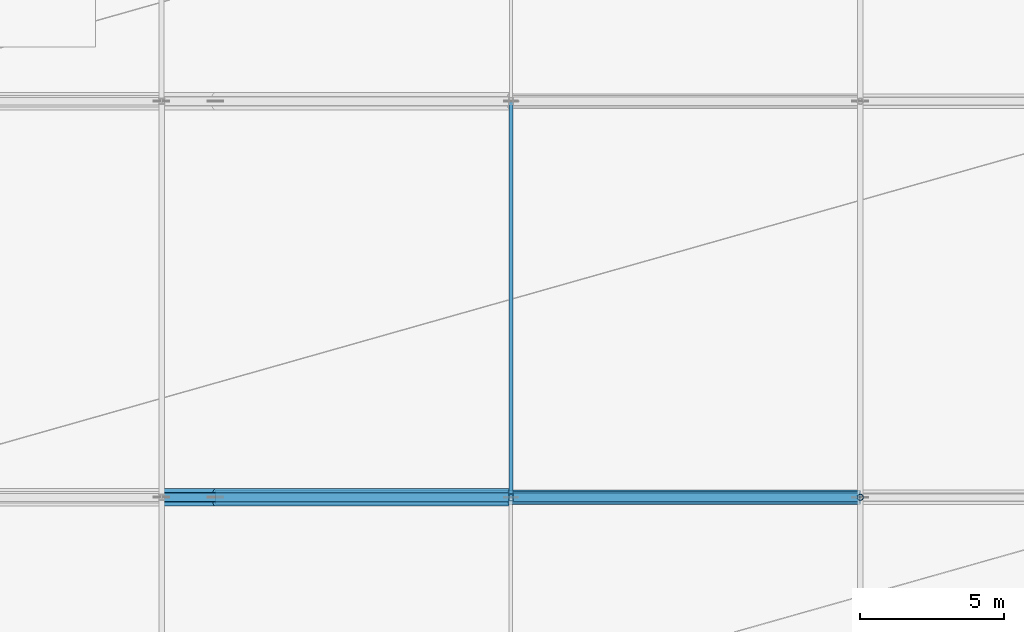
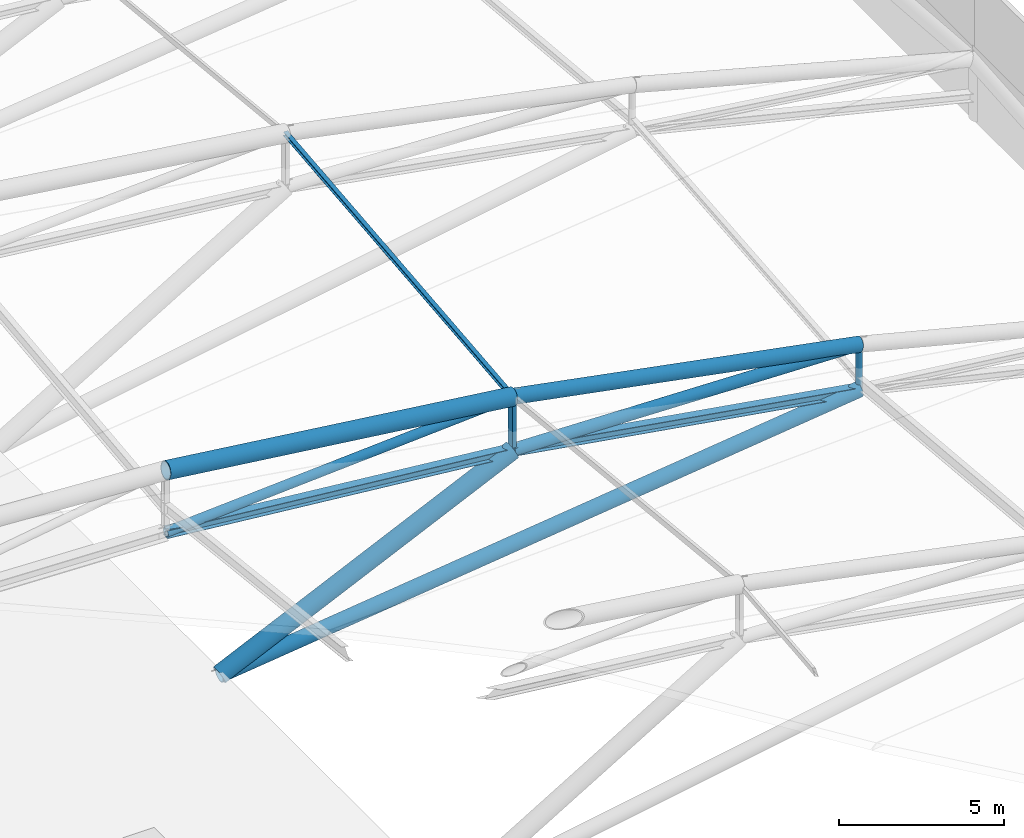
# One storey, part 15 of 36: 11 members.
"""IFC4 building model written with IfcOpenShell, lengths in metres."""

from ifc_helpers import new_model, si_unit, direction, frame, origin, origin_2d, place, context, subcontext, project, spatial, hollow_rectangle, hollow_circle, i_section, extrude, material, material_profile, profile_set, type_object, element, save


model = new_model("IFC4")

# Units and contexts
model_context = context("Model", 3, precision=1e-05, world=origin(), true_north=direction((0.0, 1.0)))
body_context = subcontext(model_context, "Body", "Model", "MODEL_VIEW")
ifc_project = project(units=[si_unit("LENGTHUNIT", "METRE"), si_unit("AREAUNIT", "SQUARE_METRE"), si_unit("VOLUMEUNIT", "CUBIC_METRE"), si_unit("PLANEANGLEUNIT", "RADIAN"), si_unit("MASSUNIT", "GRAM", prefix="KILO")], contexts=[model_context])

# Site, building, storey
site_placement = place(None, origin())
site = spatial("IfcSite", under=ifc_project, at=site_placement, CompositionType="ELEMENT")
building_placement = place(site_placement, origin())
building = spatial("IfcBuilding", under=site, at=building_placement, Name="Linyun Crest Stadium", CompositionType="ELEMENT")
storey_placement = place(building_placement, frame((0.0, 0.0, 31.60009765625)))
storey = spatial("IfcBuildingStorey", under=building, at=storey_placement, Name="RF", CompositionType="ELEMENT", Elevation=31.60009765625)

# Members
ifc_material_1 = material(Name="Steel Q355C", Category="steel")
ifc_material_profile_1 = material_profile(ifc_material_1, i_section(OverallWidth=0.14990234375, OverallDepth=0.14990234375, WebThickness=0.007080078125, FlangeThickness=0.010009765625, at=origin_2d()), Name="HW 150x150")
ifc_profile_set_1 = profile_set([ifc_material_profile_1], Name="Steel Q355C")
member_type_1 = type_object("IfcMemberType", Name="AR01", PredefinedType="USERDEFINED", material=ifc_profile_set_1)
member_1_placement = place(storey_placement, frame((-59.75, -11.625, 6.473876953125), z_axis=(0.0, 0.994841166463, 0.101444829883), x_axis=(-1.0, 0.0, 0.0)))
element("IfcMember", 1, at=member_1_placement, inside=storey, type_object=member_type_1, Name="Art Nouveau canopy arch rib AR01 V1 168", ObjectType="ARCH RIB", PredefinedType="USERDEFINED", context=body_context, shape_type="SweptSolid", body=[
    extrude(i_section(OverallWidth=0.14990234375, OverallDepth=0.14990234375, WebThickness=0.007080078125, FlangeThickness=0.010009765625, at=origin_2d()), origin(), (0.0, 0.0, 1.0), 13.8212890625),
])
ifc_material_2 = material(Name="Steel Q420C", Category="steel")
ifc_material_profile_2 = material_profile(ifc_material_2, hollow_circle(Radius=0.25390625, WallThickness=0.02490234375, at=origin_2d()), Name="CHS 508x25")
ifc_profile_set_2 = profile_set([ifc_material_profile_2], Name="Steel Q420C")
member_type_2 = type_object("IfcMemberType", Name="TC01", PredefinedType="CHORD", material=ifc_profile_set_2)
member_2_placement = place(storey_placement, frame((-59.75, -11.625, 6.473876953125), z_axis=(0.98228694013, 0.0, -0.187382942791), x_axis=(0.0, 1.0, 0.0)))
element("IfcMember", 2, at=member_2_placement, inside=storey, type_object=member_type_2, Name="Roof truss top chord TC01 V1 67", PredefinedType="CHORD", context=body_context, shape_type="SweptSolid", body=[
    extrude(hollow_circle(Radius=0.25390625, WallThickness=0.02490234375, at=origin_2d()), origin(), (0.0, 0.0, 1.0), 12.34375),
])
member_3_placement = place(storey_placement, frame((-70.0, -11.625, -0.235107421875), z_axis=(0.992628408307, 0.0, 0.121197537196), x_axis=(0.0, 1.0, 0.0)))
element("IfcMember", 3, at=member_3_placement, inside=storey, type_object=member_type_2, Name="Roof arch forward V-strut TC01 V1 76", PredefinedType="CHORD", context=body_context, shape_type="SweptSolid", body=[
    extrude(hollow_circle(Radius=0.25390625, WallThickness=0.02490234375, at=origin_2d()), origin(), (0.0, 0.0, 1.0), 22.541259765625),
])
ifc_material_3 = material(Name="Steel Q420C", Category="steel")
ifc_material_profile_3 = material_profile(ifc_material_3, hollow_circle(Radius=0.304931640625, WallThickness=0.030029296875, at=origin_2d()), Name="CHS 610x30")
ifc_profile_set_3 = profile_set([ifc_material_profile_3], Name="Steel Q420C")
member_type_3 = type_object("IfcMemberType", Name="TC02", PredefinedType="CHORD", material=ifc_profile_set_3)
member_4_placement = place(storey_placement, frame((-71.875, -11.625, 7.98681640625), z_axis=(0.992304903458, 0.0, -0.123818328905), x_axis=(0.0, 1.0, 0.0)))
element("IfcMember", 4, at=member_4_placement, inside=storey, type_object=member_type_3, Name="Roof truss top chord TC02 V1 63", PredefinedType="CHORD", context=body_context, shape_type="SweptSolid", body=[
    extrude(hollow_circle(Radius=0.304931640625, WallThickness=0.030029296875, at=origin_2d()), origin(), (0.0, 0.0, 1.0), 12.218994140625),
])
member_5_placement = place(storey_placement, frame((-70.0, -11.625, -0.235107421875), z_axis=(0.907887218717, 0.0, 0.419214501287), x_axis=(0.0, 1.0, 0.0)))
element("IfcMember", 5, at=member_5_placement, inside=storey, type_object=member_type_3, Name="Roof arch inclined support strut TC02 V1 75", PredefinedType="CHORD", context=body_context, shape_type="SweptSolid", body=[
    extrude(hollow_circle(Radius=0.304931640625, WallThickness=0.030029296875, at=origin_2d()), origin(), (0.0, 0.0, 1.0), 11.2900390625),
])
ifc_material_4 = material(Name="Steel Q355C", Category="steel")
ifc_material_profile_4 = material_profile(ifc_material_4, i_section(OverallWidth=0.300048828125, OverallDepth=0.300048828125, WebThickness=0.010009765625, FlangeThickness=0.014892578125, at=origin_2d()), Name="HW 300x300")
ifc_profile_set_4 = profile_set([ifc_material_profile_4], Name="Steel Q355C")
member_type_4 = type_object("IfcMemberType", Name="TC03", PredefinedType="CHORD", material=ifc_profile_set_4)
member_6_placement = place(storey_placement, frame((-71.875, -11.625, 5.698974609375), z_axis=(0.995128816625, 0.0, -0.098583154353), x_axis=(0.0, 1.0, 0.0)))
element("IfcMember", 6, at=member_6_placement, inside=storey, type_object=member_type_4, Name="Roof truss bottom chord TC03 V1 64", PredefinedType="CHORD", context=body_context, shape_type="SweptSolid", body=[
    extrude(i_section(OverallWidth=0.300048828125, OverallDepth=0.300048828125, WebThickness=0.010009765625, FlangeThickness=0.014892578125, at=origin_2d()), origin(), (0.0, 0.0, 1.0), 12.184326171875),
])
member_7_placement = place(storey_placement, frame((-59.75, -11.625, 4.497802734375), z_axis=(0.986654695276, 0.0, -0.162826632621), x_axis=(0.0, 1.0, 0.0)))
element("IfcMember", 7, at=member_7_placement, inside=storey, type_object=member_type_4, Name="Roof truss bottom chord TC03 V1 68", PredefinedType="CHORD", context=body_context, shape_type="SweptSolid", body=[
    extrude(i_section(OverallWidth=0.300048828125, OverallDepth=0.300048828125, WebThickness=0.010009765625, FlangeThickness=0.014892578125, at=origin_2d()), origin(), (0.0, 0.0, 1.0), 12.2890625),
])
ifc_material_5 = material(Name="Steel Q355C", Category="steel")
ifc_material_profile_5 = material_profile(ifc_material_5, hollow_circle(Radius=0.16259765625, WallThickness=0.01611328125, at=origin_2d()), Name="CHS 325x16")
ifc_profile_set_5 = profile_set([ifc_material_profile_5], Name="Steel Q355C")
member_type_5 = type_object("IfcMemberType", Name="TD02", PredefinedType="BRACE", material=ifc_profile_set_5)
member_8_placement = place(storey_placement, frame((-71.875, -11.625, 5.698974609375), z_axis=(0.997964024434, 0.0, 0.063779353527), x_axis=(0.0, 1.0, 0.0)))
element("IfcMember", 8, at=member_8_placement, inside=storey, type_object=member_type_5, Name="Roof truss diagonal TD02 V1 65", PredefinedType="BRACE", context=body_context, shape_type="SweptSolid", body=[
    extrude(hollow_circle(Radius=0.16259765625, WallThickness=0.01611328125, at=origin_2d()), origin(), (0.0, 0.0, 1.0), 12.149658203125),
])
ifc_material_6 = material(Name="Steel Q420C", Category="steel")
ifc_material_profile_6 = material_profile(ifc_material_6, hollow_circle(Radius=0.202880859375, WallThickness=0.02001953125, at=origin_2d()), Name="CHS 406x20")
ifc_profile_set_6 = profile_set([ifc_material_profile_6], Name="Steel Q420C")
member_type_6 = type_object("IfcMemberType", Name="TD03", PredefinedType="BRACE", material=ifc_profile_set_6)
member_9_placement = place(storey_placement, frame((-59.75, -11.625, 4.497802734375), z_axis=(0.999614172316, 0.0, -0.027776005916), x_axis=(0.0, 1.0, 0.0)))
element("IfcMember", 9, at=member_9_placement, inside=storey, type_object=member_type_6, Name="Roof truss diagonal TD03 V1 69", PredefinedType="BRACE", context=body_context, shape_type="SweptSolid", body=[
    extrude(hollow_circle(Radius=0.202880859375, WallThickness=0.02001953125, at=origin_2d()), origin(), (0.0, 0.0, 1.0), 12.129638671875),
])
ifc_material_7 = material(Name="Steel Q355C", Category="steel")
ifc_material_profile_7 = material_profile(ifc_material_7, hollow_circle(Radius=0.109619140625, WallThickness=0.011962890625, at=origin_2d()), Name="CHS 219x12")
ifc_profile_set_7 = profile_set([ifc_material_profile_7], Name="Steel Q355C")
member_type_7 = type_object("IfcMemberType", Name="TV01", PredefinedType="STRUT", material=ifc_profile_set_7)
member_10_placement = place(storey_placement, frame((-47.625, -11.625, 2.496826171875), z_axis=(0.0, 0.0, 1.0), x_axis=(1.0, 0.0, 0.0)))
element("IfcMember", 10, at=member_10_placement, inside=storey, type_object=member_type_7, Name="Roof vertical strut TV01 V1 74", PredefinedType="STRUT", context=body_context, shape_type="SweptSolid", body=[
    extrude(hollow_circle(Radius=0.109619140625, WallThickness=0.011962890625, at=origin_2d()), origin(), (0.0, 0.0, 1.0), 1.6640625),
])
ifc_material_8 = material(Name="Steel Q355C", Category="steel")
ifc_material_profile_8 = material_profile(ifc_material_8, hollow_rectangle(XDim=0.14990234375, YDim=0.25, WallThickness=0.010009765625, at=origin_2d()), Name="RHS 250x150x10")
ifc_profile_set_8 = profile_set([ifc_material_profile_8], Name="Steel Q355C")
member_type_8 = type_object("IfcMemberType", Name="TV03", PredefinedType="STRUT", material=ifc_profile_set_8)
member_11_placement = place(storey_placement, frame((-59.75, -11.625, 4.497802734375), z_axis=(0.0, 0.0, 1.0), x_axis=(1.0, 0.0, 0.0)))
element("IfcMember", 11, at=member_11_placement, inside=storey, type_object=member_type_8, Name="Roof vertical strut TV03 V1 70", PredefinedType="STRUT", context=body_context, shape_type="SweptSolid", body=[
    extrude(hollow_rectangle(XDim=0.14990234375, YDim=0.25, WallThickness=0.010009765625, at=origin_2d()), origin(), (0.0, 0.0, 1.0), 1.97607421875),
])

save(model, "model.ifc")
